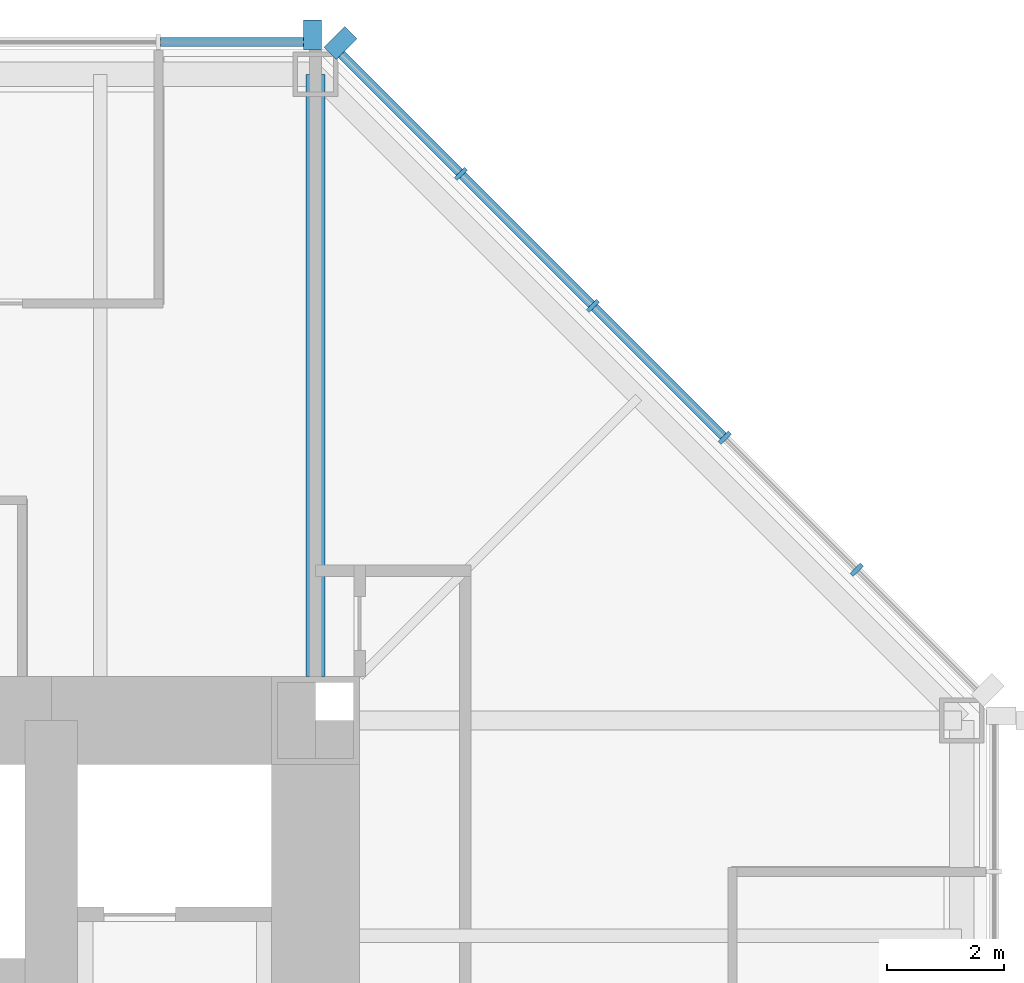
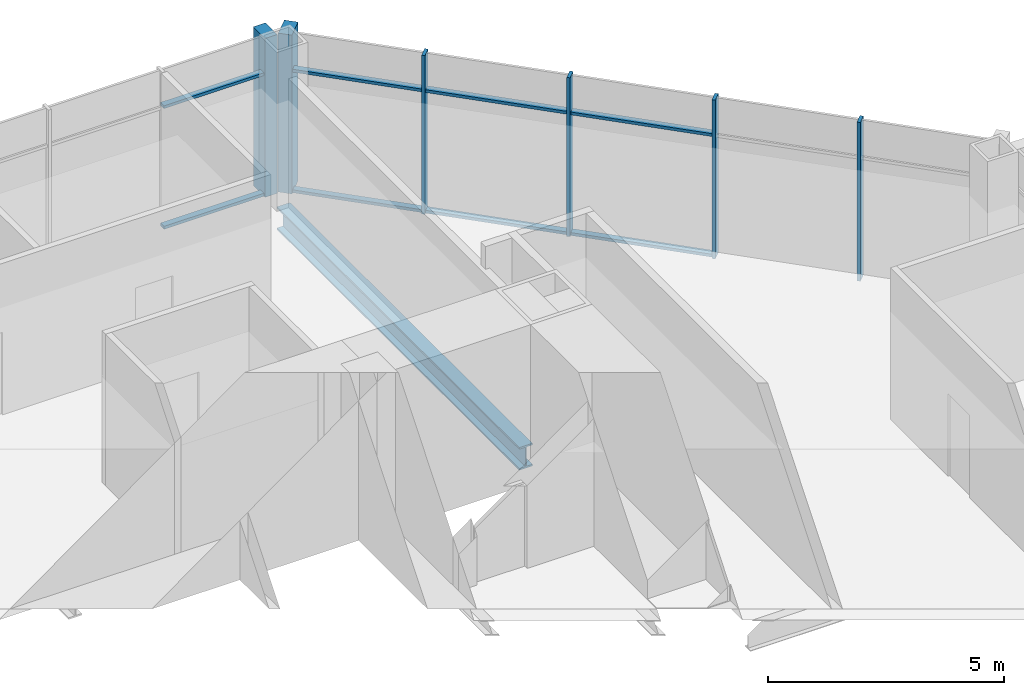
# One storey, part 6 of 12: 14 members, 1 beam, 2 elements without a shape of their own.
"""IFC4 building model written with IfcOpenShell, lengths in metres."""

from ifc_helpers import new_model, si_unit, direction, frame, origin, origin_2d, place, context, subcontext, project, spatial, rectangle, i_section, extrude, material, material_profile, profile_set, type_object, element, aggregate, save


model = new_model("IFC4")

# Units and contexts
model_context = context("Model", 3, precision=1e-05, world=origin(), true_north=direction((0.0, 1.0)))
body_context = subcontext(model_context, "Body", "Model", "MODEL_VIEW")
ifc_project = project(units=[si_unit("LENGTHUNIT", "METRE"), si_unit("AREAUNIT", "SQUARE_METRE"), si_unit("VOLUMEUNIT", "CUBIC_METRE"), si_unit("PLANEANGLEUNIT", "RADIAN"), si_unit("MASSUNIT", "GRAM", prefix="KILO")], contexts=[model_context])

# Site, building, storey
site_placement = place(None, origin())
site = spatial("IfcSite", under=ifc_project, at=site_placement, CompositionType="ELEMENT")
building_placement = place(site_placement, origin())
building = spatial("IfcBuilding", under=site, at=building_placement, Name="Trevanion Tower", CompositionType="ELEMENT")
storey_placement = place(building_placement, frame((0.0, 0.0, 133.60009765625)))
storey = spatial("IfcBuildingStorey", under=building, at=storey_placement, Name="L31", CompositionType="ELEMENT", Elevation=133.60009765625)

# Curtain wall, members
ifc_material_1 = material(Name="Aluminium and glass", Category="aluminium")
curtain_wall_type = type_object("IfcCurtainWallType", Name="CW2 curtain wall", PredefinedType="USERDEFINED", material=ifc_material_1)
curtain_wall_1_placement = place(storey_placement, origin())
curtain_wall_1 = element("IfcCurtainWall", 1, at=curtain_wall_1_placement, inside=storey, type_object=curtain_wall_type, Name="CW2 L31 1", ObjectType="UNITISED CURTAIN WALL", PredefinedType="USERDEFINED")
ifc_material_2 = material(Name="Aluminium extrusion, anodised bronze", Category="aluminium")
ifc_material_profile_1 = material_profile(ifc_material_2, rectangle(XDim=0.074951171875, YDim=0.25, at=origin_2d()), Name="CW2 mullion")
ifc_profile_set_1 = profile_set([ifc_material_profile_1], Name="Aluminium extrusion, anodised bronze")
member_type_1 = type_object("IfcMemberType", Name="CW2 mullion", PredefinedType="MULLION", material=ifc_profile_set_1)
member_1_placement = place(storey_placement, frame((20.2119140625, 13.56591796875, -0.190185546875), z_axis=(0.0, 0.0, 1.0), x_axis=(-0.707106781187, 0.707106781187, 0.0)))
member_1 = element("IfcMember", 2, at=member_1_placement, type_object=member_type_1, Name="CW2 mullion 2", PredefinedType="MULLION", context=body_context, shape_type="SweptSolid", body=[
    extrude(rectangle(XDim=0.074951171875, YDim=0.25, at=origin_2d()), origin(), (0.0, 0.0, 1.0), 4.10009765625),
])
member_2_placement = place(storey_placement, frame((17.966064453125, 15.811767578125, -0.190185546875), z_axis=(0.0, 0.0, 1.0), x_axis=(-0.707106781187, 0.707106781187, 0.0)))
member_2 = element("IfcMember", 3, at=member_2_placement, type_object=member_type_1, Name="CW2 mullion 3", PredefinedType="MULLION", context=body_context, shape_type="SweptSolid", body=[
    extrude(rectangle(XDim=0.074951171875, YDim=0.25, at=origin_2d()), origin(), (0.0, 0.0, 1.0), 4.10009765625),
])
member_3_placement = place(storey_placement, frame((15.719970703125, 18.057861328125, -0.190185546875), z_axis=(0.0, 0.0, 1.0), x_axis=(-0.707106781187, 0.707106781187, 0.0)))
member_3 = element("IfcMember", 4, at=member_3_placement, type_object=member_type_1, Name="CW2 mullion 4", PredefinedType="MULLION", context=body_context, shape_type="SweptSolid", body=[
    extrude(rectangle(XDim=0.074951171875, YDim=0.25, at=origin_2d()), origin(), (0.0, 0.0, 1.0), 4.10009765625),
])
member_4_placement = place(storey_placement, frame((13.473876953125, 20.303955078125, -0.190185546875), z_axis=(0.0, 0.0, 1.0), x_axis=(-0.707106781187, 0.707106781187, 0.0)))
member_4 = element("IfcMember", 5, at=member_4_placement, type_object=member_type_1, Name="CW2 mullion 5", PredefinedType="MULLION", context=body_context, shape_type="SweptSolid", body=[
    extrude(rectangle(XDim=0.074951171875, YDim=0.25, at=origin_2d()), origin(), (0.0, 0.0, 1.0), 4.10009765625),
])
ifc_material_3 = material(Name="Aluminium extrusion, anodised bronze", Category="aluminium")
ifc_material_profile_2 = material_profile(ifc_material_3, rectangle(XDim=0.300048828125, YDim=0.5, at=origin_2d()), Name="CW2 pier mullion")
ifc_profile_set_2 = profile_set([ifc_material_profile_2], Name="Aluminium extrusion, anodised bronze")
member_type_2 = type_object("IfcMemberType", Name="CW2 pier mullion", PredefinedType="MULLION", material=ifc_profile_set_2)
member_5_placement = place(storey_placement, frame((11.42236328125, 22.5322265625, -0.190185546875), z_axis=(0.0, 0.0, 1.0), x_axis=(-0.707106781187, 0.707106781187, 0.0)))
member_5 = element("IfcMember", 6, at=member_5_placement, type_object=member_type_2, Name="CW2 pier mullion 6", PredefinedType="MULLION", context=body_context, shape_type="SweptSolid", body=[
    extrude(rectangle(XDim=0.300048828125, YDim=0.5, at=origin_2d()), origin(), (0.0, 0.0, 1.0), 4.10009765625),
])

# Curtain wall, member
curtain_wall_2_placement = place(storey_placement, origin())
curtain_wall_2 = element("IfcCurtainWall", 7, at=curtain_wall_2_placement, inside=storey, type_object=curtain_wall_type, Name="CW2 L31 2", ObjectType="UNITISED CURTAIN WALL", PredefinedType="USERDEFINED")
member_6_placement = place(storey_placement, frame((10.94775390625, 22.675048828125, -0.190185546875), z_axis=(0.0, 0.0, 1.0), x_axis=(-1.0, 0.0, 0.0)))
member_6 = element("IfcMember", 8, at=member_6_placement, type_object=member_type_2, Name="CW2 pier mullion 1", PredefinedType="MULLION", context=body_context, shape_type="SweptSolid", body=[
    extrude(rectangle(XDim=0.300048828125, YDim=0.5, at=origin_2d()), origin(), (0.0, 0.0, 1.0), 4.10009765625),
])

# Member
ifc_material_4 = material(Name="Aluminium extrusion, anodised bronze", Category="aluminium")
ifc_material_profile_3 = material_profile(ifc_material_4, rectangle(XDim=0.14990234375, YDim=0.074951171875, at=origin_2d()), Name="CW2 transom")
ifc_profile_set_3 = profile_set([ifc_material_profile_3], Name="Aluminium extrusion, anodised bronze")
member_type_3 = type_object("IfcMemberType", Name="CW2 transom", PredefinedType="USERDEFINED", material=ifc_profile_set_3)
member_7_placement = place(storey_placement, frame((17.939453125, 15.83837890625, -0.152587890625), z_axis=(-0.707106781187, 0.707106781187, 0.0), x_axis=(-0.707106781187, -0.707106781187, 0.0)))
member_7 = element("IfcMember", 9, at=member_7_placement, type_object=member_type_3, Name="CW2 transom 3.1", ObjectType="TRANSOM", PredefinedType="USERDEFINED", context=body_context, shape_type="SweptSolid", body=[
    extrude(rectangle(XDim=0.14990234375, YDim=0.074951171875, at=origin_2d()), origin(), (0.0, 0.0, 1.0), 3.1015625),
])

member_8_placement = place(storey_placement, frame((17.939453125, 15.83837890625, 2.9599609375), z_axis=(-0.707106781187, 0.707106781187, 0.0), x_axis=(-0.707106781187, -0.707106781187, 0.0)))
member_8 = element("IfcMember", 10, at=member_8_placement, type_object=member_type_3, Name="CW2 transom 3.2", ObjectType="TRANSOM", PredefinedType="USERDEFINED", context=body_context, shape_type="SweptSolid", body=[
    extrude(rectangle(XDim=0.14990234375, YDim=0.074951171875, at=origin_2d()), origin(), (0.0, 0.0, 1.0), 3.1015625),
])

member_9_placement = place(storey_placement, frame((15.693359375, 18.08447265625, -0.152587890625), z_axis=(-0.707106781187, 0.707106781187, 0.0), x_axis=(-0.707106781187, -0.707106781187, 0.0)))
member_9 = element("IfcMember", 11, at=member_9_placement, type_object=member_type_3, Name="CW2 transom 4.1", ObjectType="TRANSOM", PredefinedType="USERDEFINED", context=body_context, shape_type="SweptSolid", body=[
    extrude(rectangle(XDim=0.14990234375, YDim=0.074951171875, at=origin_2d()), origin(), (0.0, 0.0, 1.0), 3.10107421875),
])

member_10_placement = place(storey_placement, frame((15.693359375, 18.08447265625, 2.9599609375), z_axis=(-0.707106781187, 0.707106781187, 0.0), x_axis=(-0.707106781187, -0.707106781187, 0.0)))
member_10 = element("IfcMember", 12, at=member_10_placement, type_object=member_type_3, Name="CW2 transom 4.2", ObjectType="TRANSOM", PredefinedType="USERDEFINED", context=body_context, shape_type="SweptSolid", body=[
    extrude(rectangle(XDim=0.14990234375, YDim=0.074951171875, at=origin_2d()), origin(), (0.0, 0.0, 1.0), 3.10107421875),
])

member_11_placement = place(storey_placement, frame((13.447509765625, 20.33056640625, -0.152587890625), z_axis=(-0.707149778163, 0.707063781595, 0.0), x_axis=(-0.707063781595, -0.707149778163, 0.0)))
member_11 = element("IfcMember", 13, at=member_11_placement, type_object=member_type_3, Name="CW2 transom 5.1", ObjectType="TRANSOM", PredefinedType="USERDEFINED", context=body_context, shape_type="SweptSolid", body=[
    extrude(rectangle(XDim=0.14990234375, YDim=0.074951171875, at=origin_2d()), origin(), (0.0, 0.0, 1.0), 2.8388671875),
])

member_12_placement = place(storey_placement, frame((13.447509765625, 20.33056640625, 2.9599609375), z_axis=(-0.707149778163, 0.707063781595, 0.0), x_axis=(-0.707063781595, -0.707149778163, 0.0)))
member_12 = element("IfcMember", 14, at=member_12_placement, type_object=member_type_3, Name="CW2 transom 5.2", ObjectType="TRANSOM", PredefinedType="USERDEFINED", context=body_context, shape_type="SweptSolid", body=[
    extrude(rectangle(XDim=0.14990234375, YDim=0.074951171875, at=origin_2d()), origin(), (0.0, 0.0, 1.0), 2.8388671875),
])

aggregate(curtain_wall_1, [member_1, member_2, member_3, member_4, member_5, member_7, member_8, member_9, member_10, member_11, member_12])

member_13_placement = place(storey_placement, frame((10.7978515625, 22.550048828125, -0.152587890625), z_axis=(-1.0, 0.0, 0.0), x_axis=(0.0, -1.0, 0.0)))
member_13 = element("IfcMember", 15, at=member_13_placement, type_object=member_type_3, Name="CW2 transom 1.1", ObjectType="TRANSOM", PredefinedType="USERDEFINED", context=body_context, shape_type="SweptSolid", body=[
    extrude(rectangle(XDim=0.14990234375, YDim=0.074951171875, at=origin_2d()), origin(), (0.0, 0.0, 1.0), 2.43701171875),
])

member_14_placement = place(storey_placement, frame((10.7978515625, 22.550048828125, 2.9599609375), z_axis=(-1.0, 0.0, 0.0), x_axis=(0.0, -1.0, 0.0)))
member_14 = element("IfcMember", 16, at=member_14_placement, type_object=member_type_3, Name="CW2 transom 1.2", ObjectType="TRANSOM", PredefinedType="USERDEFINED", context=body_context, shape_type="SweptSolid", body=[
    extrude(rectangle(XDim=0.14990234375, YDim=0.074951171875, at=origin_2d()), origin(), (0.0, 0.0, 1.0), 2.43701171875),
])

aggregate(curtain_wall_2, [member_6, member_13, member_14])

# Beam
ifc_material_5 = material(Name="Steel ASTM A992 Grade 50", Category="steel")
ifc_material_profile_4 = material_profile(ifc_material_5, i_section(OverallWidth=0.320068359375, OverallDepth=0.584228515625, WebThickness=0.023193359375, FlangeThickness=0.04150390625, at=origin_2d()), Name="W21X201")
ifc_profile_set_4 = profile_set([ifc_material_profile_4], Name="Steel ASTM A992 Grade 50")
beam_type = type_object("IfcBeamType", Name="G4 W21X201", PredefinedType="BEAM", material=ifc_profile_set_4)
beam_placement = place(storey_placement, frame((11.0, 11.75, -0.482177734375), z_axis=(0.0, 1.0, 0.0), x_axis=(-1.0, 0.0, 0.0)))
element("IfcBeam", 17, at=beam_placement, inside=storey, type_object=beam_type, Name="G4 L31", PredefinedType="BEAM", context=body_context, shape_type="SweptSolid", body=[
    extrude(i_section(OverallWidth=0.320068359375, OverallDepth=0.584228515625, WebThickness=0.023193359375, FlangeThickness=0.04150390625, at=origin_2d()), origin(), (0.0, 0.0, 1.0), 10.25),
])

save(model, "model.ifc")
